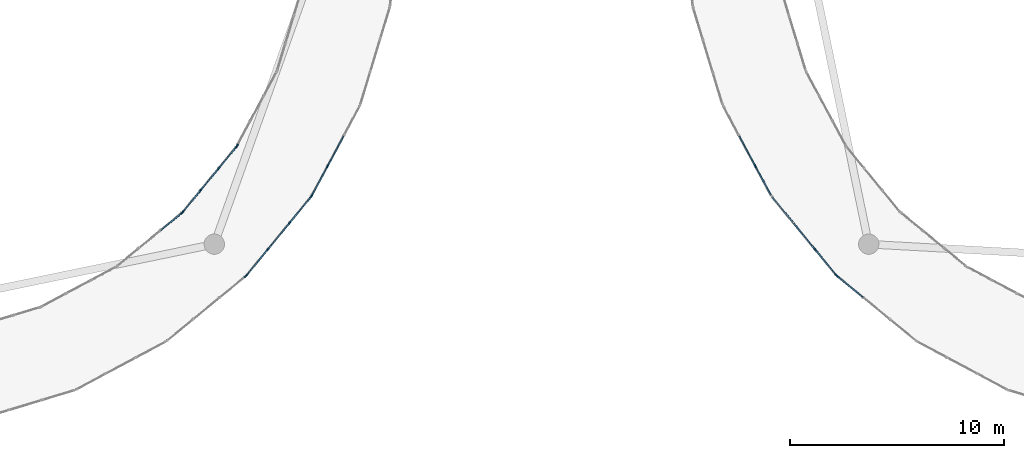
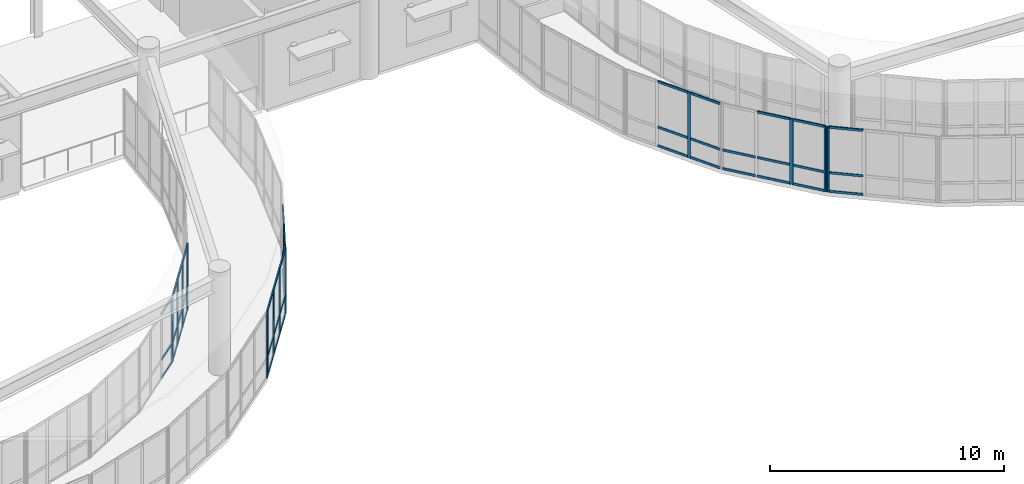
# One storey, part 19 of 68: 61 members, 9 elements without a shape of their own.
"""IFC4 building model written with IfcOpenShell, lengths in metres."""

from ifc_helpers import new_model, si_unit, direction, frame, origin, origin_2d, place, context, subcontext, project, spatial, rectangle, extrude, material, material_profile, profile_set, type_object, element, aggregate, save


model = new_model("IFC4")

# Units and contexts
model_context = context("Model", 3, precision=1e-05, world=origin(), true_north=direction((0.0, 1.0)))
body_context = subcontext(model_context, "Body", "Model", "MODEL_VIEW")
ifc_project = project(units=[si_unit("LENGTHUNIT", "METRE"), si_unit("AREAUNIT", "SQUARE_METRE"), si_unit("VOLUMEUNIT", "CUBIC_METRE"), si_unit("PLANEANGLEUNIT", "RADIAN"), si_unit("MASSUNIT", "GRAM", prefix="KILO")], contexts=[model_context])

# Site, building, storey
site_placement = place(None, origin())
site = spatial("IfcSite", under=ifc_project, at=site_placement, CompositionType="ELEMENT")
building_placement = place(site_placement, origin())
building = spatial("IfcBuilding", under=site, at=building_placement, Name="Veldera Park Congress Hotel", CompositionType="ELEMENT")
storey_placement = place(building_placement, frame((0.0, 0.0, 10.800048828125)))
storey = spatial("IfcBuildingStorey", under=building, at=storey_placement, Name="L02", CompositionType="ELEMENT", Elevation=10.800048828125)

# Curtain wall, member
ifc_material_1 = material(Name="Low-E Triple Insulating Glass Unit (SHGC 0.22)", Category="glass")
curtain_wall_type = type_object("IfcCurtainWallType", Name="CW-BRG", PredefinedType="NOTDEFINED", material=ifc_material_1)
curtain_wall_1_placement = place(storey_placement, origin())
curtain_wall_1 = element("IfcCurtainWall", 1, at=curtain_wall_1_placement, inside=storey, type_object=curtain_wall_type, Name="L02 Curtain Wall CW3-BRGW-L02-A03", PredefinedType="NOTDEFINED")
ifc_material_2 = material(Name="Anodised Aluminium Alloy 6063-T6", Category="aluminium")
ifc_material_profile_1 = material_profile(ifc_material_2, rectangle(XDim=0.06005859375, YDim=0.159912109375, at=origin_2d()), Name="ALU 60x160")
ifc_profile_set_1 = profile_set([ifc_material_profile_1], Name="Anodised Aluminium Alloy 6063-T6")
member_type_1 = type_object("IfcMemberType", Name="CWM-160", PredefinedType="MULLION", material=ifc_profile_set_1)
member_1_placement = place(storey_placement, frame((15.771728515625, -0.013916015625, 0.0), z_axis=(0.0, 0.0, 1.0), x_axis=(-0.634402404183, 0.773002968666, 0.0)))
member_1 = element("IfcMember", 2, at=member_1_placement, type_object=member_type_1, Name="CW-BRG mullion 4", PredefinedType="MULLION", context=body_context, shape_type="SweptSolid", body=[
    extrude(rectangle(XDim=0.06005859375, YDim=0.159912109375, at=origin_2d()), origin(), (0.0, 0.0, 1.0), 3.39990234375),
])
aggregate(curtain_wall_1, [member_1])

# Curtain wall, members
curtain_wall_2_placement = place(storey_placement, origin())
curtain_wall_2 = element("IfcCurtainWall", 3, at=curtain_wall_2_placement, inside=storey, type_object=curtain_wall_type, Name="L02 Curtain Wall CW3-BRGW-L02-A04", PredefinedType="NOTDEFINED")
member_2_placement = place(storey_placement, frame((15.813720703125, 0.0283203125, 0.0), z_axis=(0.0, 0.0, 1.0), x_axis=(-0.773002968666, 0.634402404183, 0.0)))
member_2 = element("IfcMember", 4, at=member_2_placement, type_object=member_type_1, Name="CW-BRG mullion 1", PredefinedType="MULLION", context=body_context, shape_type="SweptSolid", body=[
    extrude(rectangle(XDim=0.06005859375, YDim=0.159912109375, at=origin_2d()), origin(), (0.0, 0.0, 1.0), 3.39990234375),
])
member_3_placement = place(storey_placement, frame((16.814697265625, 1.247802734375, 0.0), z_axis=(0.0, 0.0, 1.0), x_axis=(-0.773002968666, 0.634402404183, 0.0)))
member_3 = element("IfcMember", 5, at=member_3_placement, type_object=member_type_1, Name="CW-BRG mullion 2", PredefinedType="MULLION", context=body_context, shape_type="SweptSolid", body=[
    extrude(rectangle(XDim=0.06005859375, YDim=0.159912109375, at=origin_2d()), origin(), (0.0, 0.0, 1.0), 3.39990234375),
])
member_4_placement = place(storey_placement, frame((17.83447265625, 2.490478515625, 0.0), z_axis=(0.0, 0.0, 1.0), x_axis=(-0.773002968666, 0.634402404183, 0.0)))
member_4 = element("IfcMember", 6, at=member_4_placement, type_object=member_type_1, Name="CW-BRG mullion 3", PredefinedType="MULLION", context=body_context, shape_type="SweptSolid", body=[
    extrude(rectangle(XDim=0.06005859375, YDim=0.159912109375, at=origin_2d()), origin(), (0.0, 0.0, 1.0), 3.39990234375),
])
member_5_placement = place(storey_placement, frame((18.835205078125, 3.709716796875, 0.0), z_axis=(0.0, 0.0, 1.0), x_axis=(-0.773002968666, 0.634402404183, 0.0)))
member_5 = element("IfcMember", 7, at=member_5_placement, type_object=member_type_1, Name="CW-BRG mullion 4", PredefinedType="MULLION", context=body_context, shape_type="SweptSolid", body=[
    extrude(rectangle(XDim=0.06005859375, YDim=0.159912109375, at=origin_2d()), origin(), (0.0, 0.0, 1.0), 3.39990234375),
])

curtain_wall_3_placement = place(storey_placement, origin())
curtain_wall_3 = element("IfcCurtainWall", 8, at=curtain_wall_3_placement, inside=storey, type_object=curtain_wall_type, Name="L02 Curtain Wall CW3-BRGW-L02-A05", PredefinedType="NOTDEFINED")
member_6_placement = place(storey_placement, frame((18.868408203125, 3.759521484375, 0.0), z_axis=(0.0, 0.0, 1.0), x_axis=(-0.881927804203, 0.471384501415, 0.0)))
member_6 = element("IfcMember", 9, at=member_6_placement, type_object=member_type_1, Name="CW-BRG mullion 1", PredefinedType="MULLION", context=body_context, shape_type="SweptSolid", body=[
    extrude(rectangle(XDim=0.06005859375, YDim=0.159912109375, at=origin_2d()), origin(), (0.0, 0.0, 1.0), 3.39990234375),
])
member_7_placement = place(storey_placement, frame((19.61181640625, 5.150634765625, 0.0), z_axis=(0.0, 0.0, 1.0), x_axis=(-0.881927804203, 0.471384501415, 0.0)))
member_7 = element("IfcMember", 10, at=member_7_placement, type_object=member_type_1, Name="CW-BRG mullion 2", PredefinedType="MULLION", context=body_context, shape_type="SweptSolid", body=[
    extrude(rectangle(XDim=0.06005859375, YDim=0.159912109375, at=origin_2d()), origin(), (0.0, 0.0, 1.0), 3.39990234375),
])

# Curtain wall, member
curtain_wall_4_placement = place(storey_placement, origin())
curtain_wall_4 = element("IfcCurtainWall", 11, at=curtain_wall_4_placement, inside=storey, type_object=curtain_wall_type, Name="L02 Curtain Wall CW3-BRGW-L02-B11", PredefinedType="NOTDEFINED")
member_8_placement = place(storey_placement, frame((15.376220703125, 6.0927734375, 0.0), z_axis=(0.0, 0.0, 1.0), x_axis=(0.881928263239, -0.471383642588, 0.0)))
member_8 = element("IfcMember", 12, at=member_8_placement, type_object=member_type_1, Name="CW-BRG mullion 4", PredefinedType="MULLION", context=body_context, shape_type="SweptSolid", body=[
    extrude(rectangle(XDim=0.06005859375, YDim=0.159912109375, at=origin_2d()), origin(), (0.0, 0.0, 1.0), 3.39990234375),
])
aggregate(curtain_wall_4, [member_8])

# Curtain wall, members
curtain_wall_5_placement = place(storey_placement, origin())
curtain_wall_5 = element("IfcCurtainWall", 13, at=curtain_wall_5_placement, inside=storey, type_object=curtain_wall_type, Name="L02 Curtain Wall CW3-BRGW-L02-B12", PredefinedType="NOTDEFINED")
member_9_placement = place(storey_placement, frame((15.343017578125, 6.043212890625, 0.0), z_axis=(0.0, 0.0, 1.0), x_axis=(0.773016144823, -0.634386349036, 0.0)))
member_9 = element("IfcMember", 14, at=member_9_placement, type_object=member_type_1, Name="CW-BRG mullion 1", PredefinedType="MULLION", context=body_context, shape_type="SweptSolid", body=[
    extrude(rectangle(XDim=0.06005859375, YDim=0.159912109375, at=origin_2d()), origin(), (0.0, 0.0, 1.0), 3.39990234375),
])
member_10_placement = place(storey_placement, frame((14.516357421875, 5.035888671875, 0.0), z_axis=(0.0, 0.0, 1.0), x_axis=(0.773016144823, -0.634386349036, 0.0)))
member_10 = element("IfcMember", 15, at=member_10_placement, type_object=member_type_1, Name="CW-BRG mullion 2", PredefinedType="MULLION", context=body_context, shape_type="SweptSolid", body=[
    extrude(rectangle(XDim=0.06005859375, YDim=0.159912109375, at=origin_2d()), origin(), (0.0, 0.0, 1.0), 3.39990234375),
])
member_11_placement = place(storey_placement, frame((13.670654296875, 4.00537109375, 0.0), z_axis=(0.0, 0.0, 1.0), x_axis=(0.773016144823, -0.634386349036, 0.0)))
member_11 = element("IfcMember", 16, at=member_11_placement, type_object=member_type_1, Name="CW-BRG mullion 3", PredefinedType="MULLION", context=body_context, shape_type="SweptSolid", body=[
    extrude(rectangle(XDim=0.06005859375, YDim=0.159912109375, at=origin_2d()), origin(), (0.0, 0.0, 1.0), 3.39990234375),
])
member_12_placement = place(storey_placement, frame((12.843994140625, 2.998291015625, 0.0), z_axis=(0.0, 0.0, 1.0), x_axis=(0.773016144823, -0.634386349036, 0.0)))
member_12 = element("IfcMember", 17, at=member_12_placement, type_object=member_type_1, Name="CW-BRG mullion 4", PredefinedType="MULLION", context=body_context, shape_type="SweptSolid", body=[
    extrude(rectangle(XDim=0.06005859375, YDim=0.159912109375, at=origin_2d()), origin(), (0.0, 0.0, 1.0), 3.39990234375),
])

# Curtain wall, member
curtain_wall_6_placement = place(storey_placement, origin())
curtain_wall_6 = element("IfcCurtainWall", 18, at=curtain_wall_6_placement, inside=storey, type_object=curtain_wall_type, Name="L02 Curtain Wall CW3-BRGW-L02-B13", PredefinedType="NOTDEFINED")
member_13_placement = place(storey_placement, frame((12.8017578125, 2.9560546875, 0.0), z_axis=(0.0, 0.0, 1.0), x_axis=(0.634386349036, -0.773016144823, 0.0)))
member_13 = element("IfcMember", 19, at=member_13_placement, type_object=member_type_1, Name="CW-BRG mullion 1", PredefinedType="MULLION", context=body_context, shape_type="SweptSolid", body=[
    extrude(rectangle(XDim=0.06005859375, YDim=0.159912109375, at=origin_2d()), origin(), (0.0, 0.0, 1.0), 3.39990234375),
])

curtain_wall_7_placement = place(storey_placement, origin())
curtain_wall_7 = element("IfcCurtainWall", 20, at=curtain_wall_7_placement, inside=storey, type_object=curtain_wall_type, Name="L02 Curtain Wall CW3-BRGE-L02-A02", PredefinedType="NOTDEFINED")
member_14_placement = place(storey_placement, frame((39.588134765625, 5.150634765625, 0.0), z_axis=(0.0, 0.0, 1.0), x_axis=(0.881927804203, 0.471384501415, 0.0)))
member_14 = element("IfcMember", 21, at=member_14_placement, type_object=member_type_1, Name="CW-BRG mullion 3", PredefinedType="MULLION", context=body_context, shape_type="SweptSolid", body=[
    extrude(rectangle(XDim=0.06005859375, YDim=0.159912109375, at=origin_2d()), origin(), (0.0, 0.0, 1.0), 3.39990234375),
])

# Curtain wall, members
curtain_wall_8_placement = place(storey_placement, origin())
curtain_wall_8 = element("IfcCurtainWall", 22, at=curtain_wall_8_placement, inside=storey, type_object=curtain_wall_type, Name="L02 Curtain Wall CW3-BRGE-L02-A03", PredefinedType="NOTDEFINED")
member_15_placement = place(storey_placement, frame((42.385498046875, 1.247802734375, 0.0), z_axis=(0.0, 0.0, 1.0), x_axis=(0.773002968666, 0.634402404183, 0.0)))
member_15 = element("IfcMember", 23, at=member_15_placement, type_object=member_type_1, Name="CW-BRG mullion 3", PredefinedType="MULLION", context=body_context, shape_type="SweptSolid", body=[
    extrude(rectangle(XDim=0.06005859375, YDim=0.159912109375, at=origin_2d()), origin(), (0.0, 0.0, 1.0), 3.39990234375),
])
member_16_placement = place(storey_placement, frame((43.38623046875, 0.0283203125, 0.0), z_axis=(0.0, 0.0, 1.0), x_axis=(0.773002968666, 0.634402404183, 0.0)))
member_16 = element("IfcMember", 24, at=member_16_placement, type_object=member_type_1, Name="CW-BRG mullion 4", PredefinedType="MULLION", context=body_context, shape_type="SweptSolid", body=[
    extrude(rectangle(XDim=0.06005859375, YDim=0.159912109375, at=origin_2d()), origin(), (0.0, 0.0, 1.0), 3.39990234375),
])

# Curtain wall, member
curtain_wall_9_placement = place(storey_placement, origin())
curtain_wall_9 = element("IfcCurtainWall", 25, at=curtain_wall_9_placement, inside=storey, type_object=curtain_wall_type, Name="L02 Curtain Wall CW3-BRGE-L02-A04", PredefinedType="NOTDEFINED")
member_17_placement = place(storey_placement, frame((43.428466796875, -0.013916015625, 0.0), z_axis=(0.0, 0.0, 1.0), x_axis=(0.634402404183, 0.773002968666, 0.0)))
member_17 = element("IfcMember", 26, at=member_17_placement, type_object=member_type_1, Name="CW-BRG mullion 1", PredefinedType="MULLION", context=body_context, shape_type="SweptSolid", body=[
    extrude(rectangle(XDim=0.06005859375, YDim=0.159912109375, at=origin_2d()), origin(), (0.0, 0.0, 1.0), 3.39990234375),
])

# Member
ifc_material_profile_2 = material_profile(ifc_material_2, rectangle(XDim=0.06005859375, YDim=0.1201171875, at=origin_2d()), Name="ALU 60x120")
ifc_profile_set_2 = profile_set([ifc_material_profile_2], Name="Anodised Aluminium Alloy 6063-T6")
member_type_2 = type_object("IfcMemberType", Name="CWT-120", PredefinedType="USERDEFINED", material=ifc_profile_set_2)
member_18_placement = place(storey_placement, frame((15.832763671875, 0.051513671875, 0.030029296875), z_axis=(0.634454649058, 0.772960088419, 0.0), x_axis=(-0.772960088419, 0.634454649058, 0.0)))
member_18 = element("IfcMember", 27, at=member_18_placement, type_object=member_type_2, Name="CW-BRG transom 1.1", ObjectType="TRANSOM", PredefinedType="USERDEFINED", context=body_context, shape_type="SweptSolid", body=[
    extrude(rectangle(XDim=0.06005859375, YDim=0.1201171875, at=origin_2d()), origin(), (0.0, 0.0, 1.0), 1.517578125),
])

member_19_placement = place(storey_placement, frame((15.832763671875, 0.051513671875, 1.0), z_axis=(0.634454649058, 0.772960088419, 0.0), x_axis=(-0.772960088419, 0.634454649058, 0.0)))
member_19 = element("IfcMember", 28, at=member_19_placement, type_object=member_type_2, Name="CW-BRG transom 1.2", ObjectType="TRANSOM", PredefinedType="USERDEFINED", context=body_context, shape_type="SweptSolid", body=[
    extrude(rectangle(XDim=0.06005859375, YDim=0.1201171875, at=origin_2d()), origin(), (0.0, 0.0, 1.0), 1.517578125),
])

member_20_placement = place(storey_placement, frame((15.832763671875, 0.051513671875, 3.369873046875), z_axis=(0.634454649058, 0.772960088419, 0.0), x_axis=(-0.772960088419, 0.634454649058, 0.0)))
member_20 = element("IfcMember", 29, at=member_20_placement, type_object=member_type_2, Name="CW-BRG transom 1.3", ObjectType="TRANSOM", PredefinedType="USERDEFINED", context=body_context, shape_type="SweptSolid", body=[
    extrude(rectangle(XDim=0.06005859375, YDim=0.1201171875, at=origin_2d()), origin(), (0.0, 0.0, 1.0), 1.517578125),
])

member_21_placement = place(storey_placement, frame((16.833740234375, 1.27099609375, 0.030029296875), z_axis=(0.634362544518, 0.773035679716, 0.0), x_axis=(-0.773035679716, 0.634362544518, 0.0)))
member_21 = element("IfcMember", 30, at=member_21_placement, type_object=member_type_2, Name="CW-BRG transom 2.1", ObjectType="TRANSOM", PredefinedType="USERDEFINED", context=body_context, shape_type="SweptSolid", body=[
    extrude(rectangle(XDim=0.06005859375, YDim=0.1201171875, at=origin_2d()), origin(), (0.0, 0.0, 1.0), 1.547607421875),
])

member_22_placement = place(storey_placement, frame((16.833740234375, 1.27099609375, 1.0), z_axis=(0.634362544518, 0.773035679716, 0.0), x_axis=(-0.773035679716, 0.634362544518, 0.0)))
member_22 = element("IfcMember", 31, at=member_22_placement, type_object=member_type_2, Name="CW-BRG transom 2.2", ObjectType="TRANSOM", PredefinedType="USERDEFINED", context=body_context, shape_type="SweptSolid", body=[
    extrude(rectangle(XDim=0.06005859375, YDim=0.1201171875, at=origin_2d()), origin(), (0.0, 0.0, 1.0), 1.547607421875),
])

member_23_placement = place(storey_placement, frame((16.833740234375, 1.27099609375, 3.369873046875), z_axis=(0.634362544518, 0.773035679716, 0.0), x_axis=(-0.773035679716, 0.634362544518, 0.0)))
member_23 = element("IfcMember", 32, at=member_23_placement, type_object=member_type_2, Name="CW-BRG transom 2.3", ObjectType="TRANSOM", PredefinedType="USERDEFINED", context=body_context, shape_type="SweptSolid", body=[
    extrude(rectangle(XDim=0.06005859375, YDim=0.1201171875, at=origin_2d()), origin(), (0.0, 0.0, 1.0), 1.547607421875),
])

member_24_placement = place(storey_placement, frame((17.853515625, 2.513671875, 0.030029296875), z_axis=(0.634437422842, 0.772974227576, 0.0), x_axis=(-0.772974227576, 0.634437422842, 0.0)))
member_24 = element("IfcMember", 33, at=member_24_placement, type_object=member_type_2, Name="CW-BRG transom 3.1", ObjectType="TRANSOM", PredefinedType="USERDEFINED", context=body_context, shape_type="SweptSolid", body=[
    extrude(rectangle(XDim=0.06005859375, YDim=0.1201171875, at=origin_2d()), origin(), (0.0, 0.0, 1.0), 1.517333984375),
])

member_25_placement = place(storey_placement, frame((17.853515625, 2.513671875, 1.0), z_axis=(0.634437422842, 0.772974227576, 0.0), x_axis=(-0.772974227576, 0.634437422842, 0.0)))
member_25 = element("IfcMember", 34, at=member_25_placement, type_object=member_type_2, Name="CW-BRG transom 3.2", ObjectType="TRANSOM", PredefinedType="USERDEFINED", context=body_context, shape_type="SweptSolid", body=[
    extrude(rectangle(XDim=0.06005859375, YDim=0.1201171875, at=origin_2d()), origin(), (0.0, 0.0, 1.0), 1.517333984375),
])

member_26_placement = place(storey_placement, frame((17.853515625, 2.513671875, 3.369873046875), z_axis=(0.634437422842, 0.772974227576, 0.0), x_axis=(-0.772974227576, 0.634437422842, 0.0)))
member_26 = element("IfcMember", 35, at=member_26_placement, type_object=member_type_2, Name="CW-BRG transom 3.3", ObjectType="TRANSOM", PredefinedType="USERDEFINED", context=body_context, shape_type="SweptSolid", body=[
    extrude(rectangle(XDim=0.06005859375, YDim=0.1201171875, at=origin_2d()), origin(), (0.0, 0.0, 1.0), 1.517333984375),
])

aggregate(curtain_wall_2, [member_2, member_3, member_4, member_5, member_18, member_19, member_20, member_21, member_22, member_23, member_24, member_25, member_26])

member_27_placement = place(storey_placement, frame((18.882568359375, 3.785888671875, 0.030029296875), z_axis=(0.4713729563, 0.881933974892, 0.0), x_axis=(-0.881933974892, 0.4713729563, 0.0)))
member_27 = element("IfcMember", 36, at=member_27_placement, type_object=member_type_2, Name="CW-BRG transom 1.1", ObjectType="TRANSOM", PredefinedType="USERDEFINED", context=body_context, shape_type="SweptSolid", body=[
    extrude(rectangle(XDim=0.06005859375, YDim=0.1201171875, at=origin_2d()), origin(), (0.0, 0.0, 1.0), 1.517578125),
])

member_28_placement = place(storey_placement, frame((18.882568359375, 3.785888671875, 1.0), z_axis=(0.4713729563, 0.881933974892, 0.0), x_axis=(-0.881933974892, 0.4713729563, 0.0)))
member_28 = element("IfcMember", 37, at=member_28_placement, type_object=member_type_2, Name="CW-BRG transom 1.2", ObjectType="TRANSOM", PredefinedType="USERDEFINED", context=body_context, shape_type="SweptSolid", body=[
    extrude(rectangle(XDim=0.06005859375, YDim=0.1201171875, at=origin_2d()), origin(), (0.0, 0.0, 1.0), 1.517578125),
])

member_29_placement = place(storey_placement, frame((18.882568359375, 3.785888671875, 3.369873046875), z_axis=(0.4713729563, 0.881933974892, 0.0), x_axis=(-0.881933974892, 0.4713729563, 0.0)))
member_29 = element("IfcMember", 38, at=member_29_placement, type_object=member_type_2, Name="CW-BRG transom 1.3", ObjectType="TRANSOM", PredefinedType="USERDEFINED", context=body_context, shape_type="SweptSolid", body=[
    extrude(rectangle(XDim=0.06005859375, YDim=0.1201171875, at=origin_2d()), origin(), (0.0, 0.0, 1.0), 1.517578125),
])

member_30_placement = place(storey_placement, frame((19.6259765625, 5.17724609375, 0.030029296875), z_axis=(0.471406890935, 0.881915836789, 0.0), x_axis=(-0.881915836789, 0.471406890935, 0.0)))
member_30 = element("IfcMember", 39, at=member_30_placement, type_object=member_type_2, Name="CW-BRG transom 2.1", ObjectType="TRANSOM", PredefinedType="USERDEFINED", context=body_context, shape_type="SweptSolid", body=[
    extrude(rectangle(XDim=0.06005859375, YDim=0.1201171875, at=origin_2d()), origin(), (0.0, 0.0, 1.0), 1.54736328125),
])

member_31_placement = place(storey_placement, frame((19.6259765625, 5.17724609375, 1.0), z_axis=(0.471406890935, 0.881915836789, 0.0), x_axis=(-0.881915836789, 0.471406890935, 0.0)))
member_31 = element("IfcMember", 40, at=member_31_placement, type_object=member_type_2, Name="CW-BRG transom 2.2", ObjectType="TRANSOM", PredefinedType="USERDEFINED", context=body_context, shape_type="SweptSolid", body=[
    extrude(rectangle(XDim=0.06005859375, YDim=0.1201171875, at=origin_2d()), origin(), (0.0, 0.0, 1.0), 1.54736328125),
])

member_32_placement = place(storey_placement, frame((19.6259765625, 5.17724609375, 3.369873046875), z_axis=(0.471406890935, 0.881915836789, 0.0), x_axis=(-0.881915836789, 0.471406890935, 0.0)))
member_32 = element("IfcMember", 41, at=member_32_placement, type_object=member_type_2, Name="CW-BRG transom 2.3", ObjectType="TRANSOM", PredefinedType="USERDEFINED", context=body_context, shape_type="SweptSolid", body=[
    extrude(rectangle(XDim=0.06005859375, YDim=0.1201171875, at=origin_2d()), origin(), (0.0, 0.0, 1.0), 1.54736328125),
])

aggregate(curtain_wall_3, [member_6, member_7, member_27, member_28, member_29, member_30, member_31, member_32])

member_33_placement = place(storey_placement, frame((15.323974609375, 6.02001953125, 0.030029296875), z_axis=(-0.634370784005, -0.773028918218, 0.0), x_axis=(0.773028918218, -0.634370784005, 0.0)))
member_33 = element("IfcMember", 42, at=member_33_placement, type_object=member_type_2, Name="CW-BRG transom 1.1", ObjectType="TRANSOM", PredefinedType="USERDEFINED", context=body_context, shape_type="SweptSolid", body=[
    extrude(rectangle(XDim=0.06005859375, YDim=0.1201171875, at=origin_2d()), origin(), (0.0, 0.0, 1.0), 1.2431640625),
])

member_34_placement = place(storey_placement, frame((15.323974609375, 6.02001953125, 1.0), z_axis=(-0.634370784005, -0.773028918218, 0.0), x_axis=(0.773028918218, -0.634370784005, 0.0)))
member_34 = element("IfcMember", 43, at=member_34_placement, type_object=member_type_2, Name="CW-BRG transom 1.2", ObjectType="TRANSOM", PredefinedType="USERDEFINED", context=body_context, shape_type="SweptSolid", body=[
    extrude(rectangle(XDim=0.06005859375, YDim=0.1201171875, at=origin_2d()), origin(), (0.0, 0.0, 1.0), 1.2431640625),
])

member_35_placement = place(storey_placement, frame((15.323974609375, 6.02001953125, 3.369873046875), z_axis=(-0.634370784005, -0.773028918218, 0.0), x_axis=(0.773028918218, -0.634370784005, 0.0)))
member_35 = element("IfcMember", 44, at=member_35_placement, type_object=member_type_2, Name="CW-BRG transom 1.3", ObjectType="TRANSOM", PredefinedType="USERDEFINED", context=body_context, shape_type="SweptSolid", body=[
    extrude(rectangle(XDim=0.06005859375, YDim=0.1201171875, at=origin_2d()), origin(), (0.0, 0.0, 1.0), 1.2431640625),
])

member_36_placement = place(storey_placement, frame((14.497314453125, 5.0126953125, 0.030029296875), z_axis=(-0.634375384168, -0.773025143163, 0.0), x_axis=(0.773025143163, -0.634375384168, 0.0)))
member_36 = element("IfcMember", 45, at=member_36_placement, type_object=member_type_2, Name="CW-BRG transom 2.1", ObjectType="TRANSOM", PredefinedType="USERDEFINED", context=body_context, shape_type="SweptSolid", body=[
    extrude(rectangle(XDim=0.06005859375, YDim=0.1201171875, at=origin_2d()), origin(), (0.0, 0.0, 1.0), 1.273193359375),
])

member_37_placement = place(storey_placement, frame((14.497314453125, 5.0126953125, 1.0), z_axis=(-0.634375384168, -0.773025143163, 0.0), x_axis=(0.773025143163, -0.634375384168, 0.0)))
member_37 = element("IfcMember", 46, at=member_37_placement, type_object=member_type_2, Name="CW-BRG transom 2.2", ObjectType="TRANSOM", PredefinedType="USERDEFINED", context=body_context, shape_type="SweptSolid", body=[
    extrude(rectangle(XDim=0.06005859375, YDim=0.1201171875, at=origin_2d()), origin(), (0.0, 0.0, 1.0), 1.273193359375),
])

member_38_placement = place(storey_placement, frame((14.497314453125, 5.0126953125, 3.369873046875), z_axis=(-0.634375384168, -0.773025143163, 0.0), x_axis=(0.773025143163, -0.634375384168, 0.0)))
member_38 = element("IfcMember", 47, at=member_38_placement, type_object=member_type_2, Name="CW-BRG transom 2.3", ObjectType="TRANSOM", PredefinedType="USERDEFINED", context=body_context, shape_type="SweptSolid", body=[
    extrude(rectangle(XDim=0.06005859375, YDim=0.1201171875, at=origin_2d()), origin(), (0.0, 0.0, 1.0), 1.273193359375),
])

member_39_placement = place(storey_placement, frame((13.651611328125, 3.982177734375, 0.030029296875), z_axis=(-0.634467105518, -0.772949863843, 0.0), x_axis=(0.772949863843, -0.634467105518, 0.0)))
member_39 = element("IfcMember", 48, at=member_39_placement, type_object=member_type_2, Name="CW-BRG transom 3.1", ObjectType="TRANSOM", PredefinedType="USERDEFINED", context=body_context, shape_type="SweptSolid", body=[
    extrude(rectangle(XDim=0.06005859375, YDim=0.1201171875, at=origin_2d()), origin(), (0.0, 0.0, 1.0), 1.242919921875),
])

member_40_placement = place(storey_placement, frame((13.651611328125, 3.982177734375, 1.0), z_axis=(-0.634467105518, -0.772949863843, 0.0), x_axis=(0.772949863843, -0.634467105518, 0.0)))
member_40 = element("IfcMember", 49, at=member_40_placement, type_object=member_type_2, Name="CW-BRG transom 3.2", ObjectType="TRANSOM", PredefinedType="USERDEFINED", context=body_context, shape_type="SweptSolid", body=[
    extrude(rectangle(XDim=0.06005859375, YDim=0.1201171875, at=origin_2d()), origin(), (0.0, 0.0, 1.0), 1.242919921875),
])

member_41_placement = place(storey_placement, frame((13.651611328125, 3.982177734375, 3.369873046875), z_axis=(-0.634467105518, -0.772949863843, 0.0), x_axis=(0.772949863843, -0.634467105518, 0.0)))
member_41 = element("IfcMember", 50, at=member_41_placement, type_object=member_type_2, Name="CW-BRG transom 3.3", ObjectType="TRANSOM", PredefinedType="USERDEFINED", context=body_context, shape_type="SweptSolid", body=[
    extrude(rectangle(XDim=0.06005859375, YDim=0.1201171875, at=origin_2d()), origin(), (0.0, 0.0, 1.0), 1.242919921875),
])

aggregate(curtain_wall_5, [member_9, member_10, member_11, member_12, member_33, member_34, member_35, member_36, member_37, member_38, member_39, member_40, member_41])

member_42_placement = place(storey_placement, frame((12.778564453125, 2.93701171875, 0.030029296875), z_axis=(-0.773028918218, -0.634370784005, 0.0), x_axis=(0.634370784005, -0.773028918218, 0.0)))
member_42 = element("IfcMember", 51, at=member_42_placement, type_object=member_type_2, Name="CW-BRG transom 1.1", ObjectType="TRANSOM", PredefinedType="USERDEFINED", context=body_context, shape_type="SweptSolid", body=[
    extrude(rectangle(XDim=0.06005859375, YDim=0.1201171875, at=origin_2d()), origin(), (0.0, 0.0, 1.0), 1.2431640625),
])

member_43_placement = place(storey_placement, frame((12.778564453125, 2.93701171875, 1.0), z_axis=(-0.773028918218, -0.634370784005, 0.0), x_axis=(0.634370784005, -0.773028918218, 0.0)))
member_43 = element("IfcMember", 52, at=member_43_placement, type_object=member_type_2, Name="CW-BRG transom 1.2", ObjectType="TRANSOM", PredefinedType="USERDEFINED", context=body_context, shape_type="SweptSolid", body=[
    extrude(rectangle(XDim=0.06005859375, YDim=0.1201171875, at=origin_2d()), origin(), (0.0, 0.0, 1.0), 1.2431640625),
])

member_44_placement = place(storey_placement, frame((12.778564453125, 2.93701171875, 3.369873046875), z_axis=(-0.773028918218, -0.634370784005, 0.0), x_axis=(0.634370784005, -0.773028918218, 0.0)))
member_44 = element("IfcMember", 53, at=member_44_placement, type_object=member_type_2, Name="CW-BRG transom 1.3", ObjectType="TRANSOM", PredefinedType="USERDEFINED", context=body_context, shape_type="SweptSolid", body=[
    extrude(rectangle(XDim=0.06005859375, YDim=0.1201171875, at=origin_2d()), origin(), (0.0, 0.0, 1.0), 1.2431640625),
])

aggregate(curtain_wall_6, [member_13, member_42, member_43, member_44])

member_45_placement = place(storey_placement, frame((38.844482421875, 6.5419921875, 0.030029296875), z_axis=(0.471406890935, -0.881915836789, 0.0), x_axis=(0.881915836789, 0.471406890935, 0.0)))
member_45 = element("IfcMember", 54, at=member_45_placement, type_object=member_type_2, Name="CW-BRG transom 2.1", ObjectType="TRANSOM", PredefinedType="USERDEFINED", context=body_context, shape_type="SweptSolid", body=[
    extrude(rectangle(XDim=0.06005859375, YDim=0.1201171875, at=origin_2d()), origin(), (0.0, 0.0, 1.0), 1.54736328125),
])

member_46_placement = place(storey_placement, frame((38.844482421875, 6.5419921875, 1.0), z_axis=(0.471406890935, -0.881915836789, 0.0), x_axis=(0.881915836789, 0.471406890935, 0.0)))
member_46 = element("IfcMember", 55, at=member_46_placement, type_object=member_type_2, Name="CW-BRG transom 2.2", ObjectType="TRANSOM", PredefinedType="USERDEFINED", context=body_context, shape_type="SweptSolid", body=[
    extrude(rectangle(XDim=0.06005859375, YDim=0.1201171875, at=origin_2d()), origin(), (0.0, 0.0, 1.0), 1.54736328125),
])

member_47_placement = place(storey_placement, frame((38.844482421875, 6.5419921875, 3.369873046875), z_axis=(0.471406890935, -0.881915836789, 0.0), x_axis=(0.881915836789, 0.471406890935, 0.0)))
member_47 = element("IfcMember", 56, at=member_47_placement, type_object=member_type_2, Name="CW-BRG transom 2.3", ObjectType="TRANSOM", PredefinedType="USERDEFINED", context=body_context, shape_type="SweptSolid", body=[
    extrude(rectangle(XDim=0.06005859375, YDim=0.1201171875, at=origin_2d()), origin(), (0.0, 0.0, 1.0), 1.54736328125),
])

member_48_placement = place(storey_placement, frame((39.602294921875, 5.124267578125, 0.030029296875), z_axis=(0.4713729563, -0.881933974892, 0.0), x_axis=(0.881933974892, 0.4713729563, 0.0)))
member_48 = element("IfcMember", 57, at=member_48_placement, type_object=member_type_2, Name="CW-BRG transom 3.1", ObjectType="TRANSOM", PredefinedType="USERDEFINED", context=body_context, shape_type="SweptSolid", body=[
    extrude(rectangle(XDim=0.06005859375, YDim=0.1201171875, at=origin_2d()), origin(), (0.0, 0.0, 1.0), 1.517578125),
])

member_49_placement = place(storey_placement, frame((39.602294921875, 5.124267578125, 1.0), z_axis=(0.4713729563, -0.881933974892, 0.0), x_axis=(0.881933974892, 0.4713729563, 0.0)))
member_49 = element("IfcMember", 58, at=member_49_placement, type_object=member_type_2, Name="CW-BRG transom 3.2", ObjectType="TRANSOM", PredefinedType="USERDEFINED", context=body_context, shape_type="SweptSolid", body=[
    extrude(rectangle(XDim=0.06005859375, YDim=0.1201171875, at=origin_2d()), origin(), (0.0, 0.0, 1.0), 1.517578125),
])

member_50_placement = place(storey_placement, frame((39.602294921875, 5.124267578125, 3.369873046875), z_axis=(0.4713729563, -0.881933974892, 0.0), x_axis=(0.881933974892, 0.4713729563, 0.0)))
member_50 = element("IfcMember", 59, at=member_50_placement, type_object=member_type_2, Name="CW-BRG transom 3.3", ObjectType="TRANSOM", PredefinedType="USERDEFINED", context=body_context, shape_type="SweptSolid", body=[
    extrude(rectangle(XDim=0.06005859375, YDim=0.1201171875, at=origin_2d()), origin(), (0.0, 0.0, 1.0), 1.517578125),
])

aggregate(curtain_wall_7, [member_14, member_45, member_46, member_47, member_48, member_49, member_50])

member_51_placement = place(storey_placement, frame((40.3837890625, 3.6865234375, 0.030029296875), z_axis=(0.63453354545, -0.772895322601, 0.0), x_axis=(0.772895322601, 0.63453354545, 0.0)))
member_51 = element("IfcMember", 60, at=member_51_placement, type_object=member_type_2, Name="CW-BRG transom 1.1", ObjectType="TRANSOM", PredefinedType="USERDEFINED", context=body_context, shape_type="SweptSolid", body=[
    extrude(rectangle(XDim=0.06005859375, YDim=0.1201171875, at=origin_2d()), origin(), (0.0, 0.0, 1.0), 1.517578125),
])

member_52_placement = place(storey_placement, frame((40.3837890625, 3.6865234375, 1.0), z_axis=(0.63453354545, -0.772895322601, 0.0), x_axis=(0.772895322601, 0.63453354545, 0.0)))
member_52 = element("IfcMember", 61, at=member_52_placement, type_object=member_type_2, Name="CW-BRG transom 1.2", ObjectType="TRANSOM", PredefinedType="USERDEFINED", context=body_context, shape_type="SweptSolid", body=[
    extrude(rectangle(XDim=0.06005859375, YDim=0.1201171875, at=origin_2d()), origin(), (0.0, 0.0, 1.0), 1.517578125),
])

member_53_placement = place(storey_placement, frame((41.384521484375, 2.46728515625, 0.030029296875), z_axis=(0.634456806668, -0.772958317422, 0.0), x_axis=(0.772958317422, 0.634456806668, 0.0)))
member_53 = element("IfcMember", 62, at=member_53_placement, type_object=member_type_2, Name="CW-BRG transom 2.1", ObjectType="TRANSOM", PredefinedType="USERDEFINED", context=body_context, shape_type="SweptSolid", body=[
    extrude(rectangle(XDim=0.06005859375, YDim=0.1201171875, at=origin_2d()), origin(), (0.0, 0.0, 1.0), 1.547607421875),
])

member_54_placement = place(storey_placement, frame((41.384521484375, 2.46728515625, 1.0), z_axis=(0.634456806668, -0.772958317422, 0.0), x_axis=(0.772958317422, 0.634456806668, 0.0)))
member_54 = element("IfcMember", 63, at=member_54_placement, type_object=member_type_2, Name="CW-BRG transom 2.2", ObjectType="TRANSOM", PredefinedType="USERDEFINED", context=body_context, shape_type="SweptSolid", body=[
    extrude(rectangle(XDim=0.06005859375, YDim=0.1201171875, at=origin_2d()), origin(), (0.0, 0.0, 1.0), 1.547607421875),
])

member_55_placement = place(storey_placement, frame((41.384521484375, 2.46728515625, 3.369873046875), z_axis=(0.634456806668, -0.772958317422, 0.0), x_axis=(0.772958317422, 0.634456806668, 0.0)))
member_55 = element("IfcMember", 64, at=member_55_placement, type_object=member_type_2, Name="CW-BRG transom 2.3", ObjectType="TRANSOM", PredefinedType="USERDEFINED", context=body_context, shape_type="SweptSolid", body=[
    extrude(rectangle(XDim=0.06005859375, YDim=0.1201171875, at=origin_2d()), origin(), (0.0, 0.0, 1.0), 1.547607421875),
])

member_56_placement = place(storey_placement, frame((42.404541015625, 1.224609375, 0.030029296875), z_axis=(0.634358522298, -0.773038980381, 0.0), x_axis=(0.773038980381, 0.634358522298, 0.0)))
member_56 = element("IfcMember", 65, at=member_56_placement, type_object=member_type_2, Name="CW-BRG transom 3.1", ObjectType="TRANSOM", PredefinedType="USERDEFINED", context=body_context, shape_type="SweptSolid", body=[
    extrude(rectangle(XDim=0.06005859375, YDim=0.1201171875, at=origin_2d()), origin(), (0.0, 0.0, 1.0), 1.517578125),
])

member_57_placement = place(storey_placement, frame((42.404541015625, 1.224609375, 1.0), z_axis=(0.634358522298, -0.773038980381, 0.0), x_axis=(0.773038980381, 0.634358522298, 0.0)))
member_57 = element("IfcMember", 66, at=member_57_placement, type_object=member_type_2, Name="CW-BRG transom 3.2", ObjectType="TRANSOM", PredefinedType="USERDEFINED", context=body_context, shape_type="SweptSolid", body=[
    extrude(rectangle(XDim=0.06005859375, YDim=0.1201171875, at=origin_2d()), origin(), (0.0, 0.0, 1.0), 1.517578125),
])

member_58_placement = place(storey_placement, frame((42.404541015625, 1.224609375, 3.369873046875), z_axis=(0.634358522298, -0.773038980381, 0.0), x_axis=(0.773038980381, 0.634358522298, 0.0)))
member_58 = element("IfcMember", 67, at=member_58_placement, type_object=member_type_2, Name="CW-BRG transom 3.3", ObjectType="TRANSOM", PredefinedType="USERDEFINED", context=body_context, shape_type="SweptSolid", body=[
    extrude(rectangle(XDim=0.06005859375, YDim=0.1201171875, at=origin_2d()), origin(), (0.0, 0.0, 1.0), 1.517578125),
])

aggregate(curtain_wall_8, [member_15, member_16, member_51, member_52, member_53, member_54, member_55, member_56, member_57, member_58])

member_59_placement = place(storey_placement, frame((43.45166015625, -0.032958984375, 0.030029296875), z_axis=(0.772974227576, -0.634437422842, 0.0), x_axis=(0.634437422842, 0.772974227576, 0.0)))
member_59 = element("IfcMember", 68, at=member_59_placement, type_object=member_type_2, Name="CW-BRG transom 1.1", ObjectType="TRANSOM", PredefinedType="USERDEFINED", context=body_context, shape_type="SweptSolid", body=[
    extrude(rectangle(XDim=0.06005859375, YDim=0.1201171875, at=origin_2d()), origin(), (0.0, 0.0, 1.0), 1.517333984375),
])

member_60_placement = place(storey_placement, frame((43.45166015625, -0.032958984375, 1.0), z_axis=(0.772974227576, -0.634437422842, 0.0), x_axis=(0.634437422842, 0.772974227576, 0.0)))
member_60 = element("IfcMember", 69, at=member_60_placement, type_object=member_type_2, Name="CW-BRG transom 1.2", ObjectType="TRANSOM", PredefinedType="USERDEFINED", context=body_context, shape_type="SweptSolid", body=[
    extrude(rectangle(XDim=0.06005859375, YDim=0.1201171875, at=origin_2d()), origin(), (0.0, 0.0, 1.0), 1.517333984375),
])

member_61_placement = place(storey_placement, frame((43.45166015625, -0.032958984375, 3.369873046875), z_axis=(0.772974227576, -0.634437422842, 0.0), x_axis=(0.634437422842, 0.772974227576, 0.0)))
member_61 = element("IfcMember", 70, at=member_61_placement, type_object=member_type_2, Name="CW-BRG transom 1.3", ObjectType="TRANSOM", PredefinedType="USERDEFINED", context=body_context, shape_type="SweptSolid", body=[
    extrude(rectangle(XDim=0.06005859375, YDim=0.1201171875, at=origin_2d()), origin(), (0.0, 0.0, 1.0), 1.517333984375),
])

aggregate(curtain_wall_9, [member_17, member_59, member_60, member_61])

save(model, "model.ifc")
